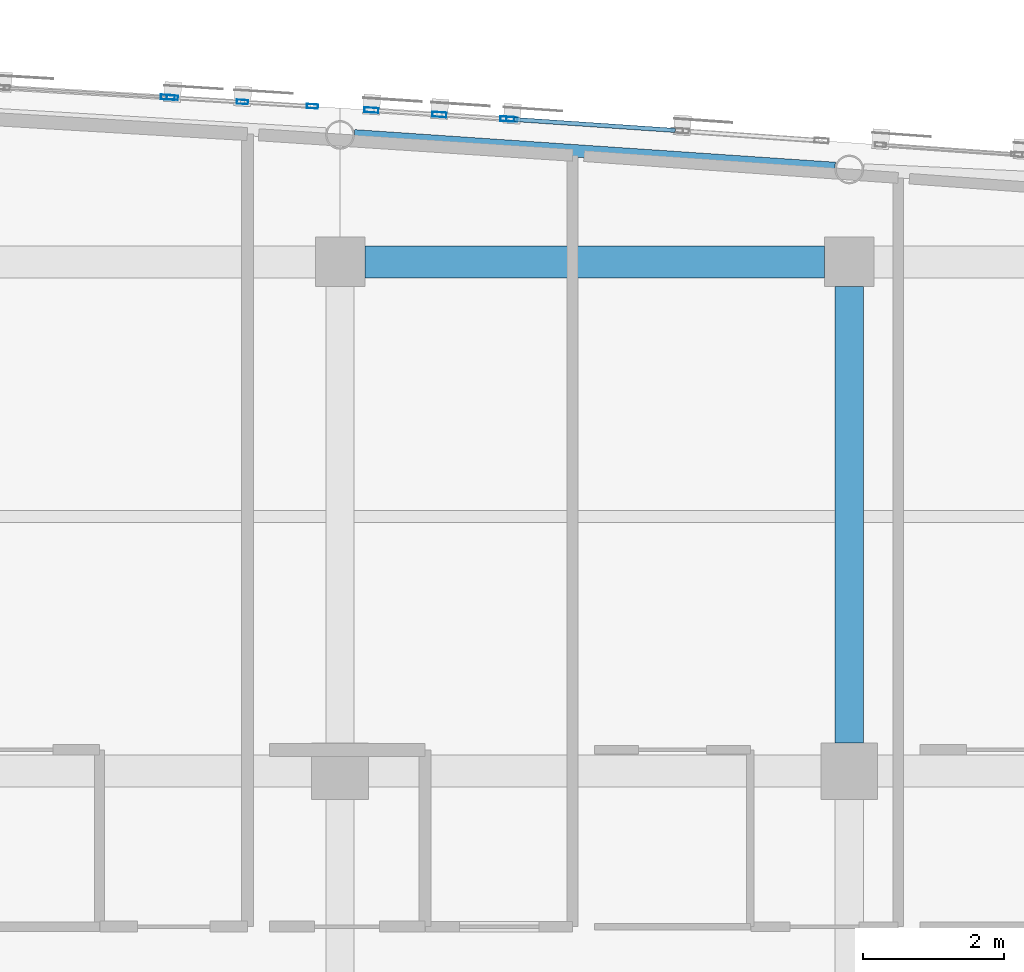
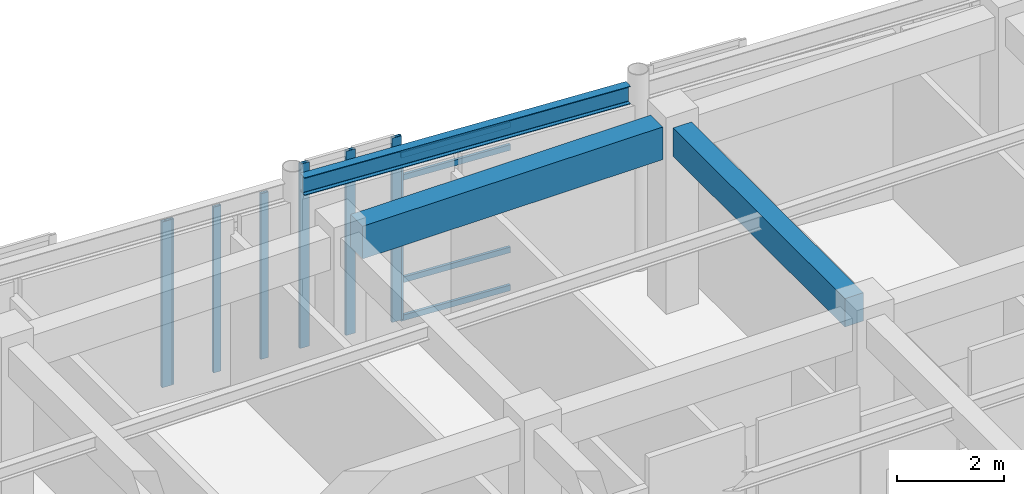
# One storey, part 45 of 106: 12 members, 3 beams, 4 elements without a shape of their own.
"""IFC4 building model written with IfcOpenShell, lengths in metres."""

from ifc_helpers import new_model, si_unit, direction, frame, origin, origin_2d, place, context, subcontext, project, spatial, rectangle, hollow_rectangle, i_section, extrude, material, layer, layer_set, material_profile, profile_set, type_object, element, aggregate, save


model = new_model("IFC4")

# Units and contexts
model_context = context("Model", 3, precision=1e-05, world=origin(), true_north=direction((0.0, 1.0)))
body_context = subcontext(model_context, "Body", "Model", "MODEL_VIEW")
ifc_project = project(units=[si_unit("LENGTHUNIT", "METRE"), si_unit("AREAUNIT", "SQUARE_METRE"), si_unit("VOLUMEUNIT", "CUBIC_METRE"), si_unit("PLANEANGLEUNIT", "RADIAN"), si_unit("MASSUNIT", "GRAM", prefix="KILO")], contexts=[model_context])

# Site, building, storey
site_placement = place(None, origin())
site = spatial("IfcSite", under=ifc_project, at=site_placement, CompositionType="ELEMENT")
building_placement = place(site_placement, origin())
building = spatial("IfcBuilding", under=site, at=building_placement, Name="Carrowvane Square Congress Hotel", CompositionType="ELEMENT")
storey_placement = place(building_placement, frame((0.0, 0.0, 10.5)))
storey = spatial("IfcBuildingStorey", under=building, at=storey_placement, Name="L02", CompositionType="ELEMENT", Elevation=10.5)

# Beams
ifc_material_1 = material(Name="Concrete C35/45", Category="concrete")
ifc_material_profile_1 = material_profile(ifc_material_1, rectangle(XDim=0.39990234375, YDim=0.64990234375, at=origin_2d()), Name="RC 400x650")
ifc_profile_set_1 = profile_set([ifc_material_profile_1], Name="Concrete C35/45")
beam_type_1 = type_object("IfcBeamType", Name="BM-RC-400x650", PredefinedType="BEAM", material=ifc_profile_set_1)
beam_1_placement = place(storey_placement, frame((134.0, 106.60009765625, 3.89501953125), z_axis=(0.0, 1.0, 0.0), x_axis=(-1.0, 0.0, 0.0)))
element("IfcBeam", 1, at=beam_1_placement, inside=storey, type_object=beam_type_1, Name="L03 girder 18/Q-R", PredefinedType="BEAM", context=body_context, shape_type="SweptSolid", body=[
    extrude(rectangle(XDim=0.39990234375, YDim=0.64990234375, at=origin_2d()), origin(), (0.0, 0.0, 1.0), 6.449951171875),
])
ifc_material_2 = material(Name="Concrete C35/45", Category="concrete")
ifc_material_profile_2 = material_profile(ifc_material_2, rectangle(XDim=0.449951171875, YDim=0.75, at=origin_2d()), Name="RC 450x750")
ifc_profile_set_2 = profile_set([ifc_material_profile_2], Name="Concrete C35/45")
beam_type_2 = type_object("IfcBeamType", Name="BM-RC-450x750", PredefinedType="USERDEFINED", material=ifc_profile_set_2)
beam_2_placement = place(storey_placement, frame((127.14990234375, 113.39990234375, 3.844970703125), z_axis=(1.0, 0.0, 0.0), x_axis=(0.0, 1.0, 0.0)))
element("IfcBeam", 2, at=beam_2_placement, inside=storey, type_object=beam_type_2, Name="L03 girder R/17-18", ObjectType="GIRDER", PredefinedType="USERDEFINED", context=body_context, shape_type="SweptSolid", body=[
    extrude(rectangle(XDim=0.449951171875, YDim=0.75, at=origin_2d()), origin(), (0.0, 0.0, 1.0), 6.5),
])
ifc_material_3 = material(Name="Steel S355", Category="steel")
ifc_material_profile_3 = material_profile(ifc_material_3, i_section(OverallWidth=0.1787109375, OverallDepth=0.409423828125, WebThickness=0.0087890625, FlangeThickness=0.014404296875, FilletRadius=0.01025390625, at=origin_2d()), Name="UKB 406x178x67")
ifc_profile_set_3 = profile_set([ifc_material_profile_3], Name="Steel S355")
beam_type_3 = type_object("IfcBeamType", Name="BM-ST-UKB406", PredefinedType="BEAM", material=ifc_profile_set_3)
beam_3_placement = place(storey_placement, frame((127.002685546875, 115.1806640625, 4.015380859375), z_axis=(0.997706912919, -0.067682463857, 0.0), x_axis=(0.067682463857, 0.997706912919, 0.0)))
element("IfcBeam", 3, at=beam_3_placement, inside=storey, type_object=beam_type_3, Name="L03 curved north spandrel", PredefinedType="BEAM", context=body_context, shape_type="SweptSolid", body=[
    extrude(i_section(OverallWidth=0.1787109375, OverallDepth=0.409423828125, WebThickness=0.0087890625, FlangeThickness=0.014404296875, FilletRadius=0.01025390625, at=origin_2d()), origin(), (0.0, 0.0, 1.0), 6.810302734375),
])

# Curtain wall, members
ifc_material_4 = material(Name="Anodised aluminium", Category="aluminium")
ifc_layer_1 = layer(ifc_material_4, 0.23388671875)
ifc_layer_set_1 = layer_set([ifc_layer_1], Name="Anodised aluminium")
curtain_wall_type_1 = type_object("IfcCurtainWallType", Name="CW-SYS-7", PredefinedType="NOTDEFINED", material=ifc_layer_set_1)
curtain_wall_1_placement = place(storey_placement, origin())
curtain_wall_1 = element("IfcCurtainWall", 4, at=curtain_wall_1_placement, inside=storey, type_object=curtain_wall_type_1, Name="L02 unitised curtain wall 166", PredefinedType="NOTDEFINED")
ifc_material_5 = material(Name="Anodised aluminium", Category="aluminium")
ifc_material_profile_4 = material_profile(ifc_material_5, hollow_rectangle(XDim=0.06005859375, YDim=0.159912109375, WallThickness=0.00390625, at=origin_2d()), Name="CW-ML 60x160x4")
ifc_profile_set_4 = profile_set([ifc_material_profile_4], Name="Anodised aluminium")
member_type_1 = type_object("IfcMemberType", Name="CW-MUL-1", PredefinedType="MULLION", material=ifc_profile_set_4)
member_1_placement = place(storey_placement, frame((124.429931640625, 115.722412109375, 0.0), z_axis=(0.0, 0.0, 1.0), x_axis=(0.062397170272, 0.998051398046, 0.0)))
member_1 = element("IfcMember", 5, at=member_1_placement, type_object=member_type_1, Name="CW-7 mullion 1", PredefinedType="MULLION", context=body_context, shape_type="SweptSolid", body=[
    extrude(hollow_rectangle(XDim=0.06005859375, YDim=0.159912109375, WallThickness=0.00390625, at=origin_2d()), origin(), (0.0, 0.0, 1.0), 3.795654296875),
])
member_2_placement = place(storey_placement, frame((125.419921875, 115.66064453125, 0.0), z_axis=(0.0, 0.0, 1.0), x_axis=(0.062397170272, 0.998051398046, 0.0)))
member_2 = element("IfcMember", 6, at=member_2_placement, type_object=member_type_1, Name="CW-7 mullion 2", PredefinedType="MULLION", context=body_context, shape_type="SweptSolid", body=[
    extrude(hollow_rectangle(XDim=0.06005859375, YDim=0.159912109375, WallThickness=0.00390625, at=origin_2d()), origin(), (0.0, 0.0, 1.0), 3.795654296875),
])
member_3_placement = place(storey_placement, frame((126.41015625, 115.5986328125, 0.0), z_axis=(0.0, 0.0, 1.0), x_axis=(0.062397170272, 0.998051398046, 0.0)))
member_3 = element("IfcMember", 7, at=member_3_placement, type_object=member_type_1, Name="CW-7 mullion 3", PredefinedType="MULLION", context=body_context, shape_type="SweptSolid", body=[
    extrude(hollow_rectangle(XDim=0.06005859375, YDim=0.159912109375, WallThickness=0.00390625, at=origin_2d()), origin(), (0.0, 0.0, 1.0), 3.795654296875),
])
aggregate(curtain_wall_1, [member_1, member_2, member_3])

# Curtain wall, member
ifc_material_6 = material(Name="Anodised aluminium", Category="aluminium")
ifc_layer_2 = layer(ifc_material_6, 0.162109375)
ifc_layer_set_2 = layer_set([ifc_layer_2], Name="Anodised aluminium")
curtain_wall_type_2 = type_object("IfcCurtainWallType", Name="CW-SYS-1", PredefinedType="NOTDEFINED", material=ifc_layer_set_2)
curtain_wall_2_placement = place(storey_placement, origin())
curtain_wall_2 = element("IfcCurtainWall", 8, at=curtain_wall_2_placement, inside=storey, type_object=curtain_wall_type_2, Name="L02 unitised curtain wall 168", PredefinedType="NOTDEFINED")
member_4_placement = place(storey_placement, frame((129.22998046875, 115.4150390625, 0.0), z_axis=(0.0, 0.0, 1.0), x_axis=(0.067869562107, 0.99769420292, 0.0)))
member_4 = element("IfcMember", 9, at=member_4_placement, type_object=member_type_1, Name="CW-1 mullion 1", PredefinedType="MULLION", context=body_context, shape_type="SweptSolid", body=[
    extrude(hollow_rectangle(XDim=0.06005859375, YDim=0.159912109375, WallThickness=0.00390625, at=origin_2d()), origin(), (0.0, 0.0, 1.0), 3.795654296875),
])

ifc_material_7 = material(Name="Anodised aluminium", Category="aluminium")
ifc_layer_3 = layer(ifc_material_7, 0.221923828125)
ifc_layer_set_3 = layer_set([ifc_layer_3], Name="Anodised aluminium")
curtain_wall_type_3 = type_object("IfcCurtainWallType", Name="CW-SYS-6", PredefinedType="NOTDEFINED", material=ifc_layer_set_3)
curtain_wall_3_placement = place(storey_placement, origin())
curtain_wall_3 = element("IfcCurtainWall", 10, at=curtain_wall_3_placement, inside=storey, type_object=curtain_wall_type_3, Name="L02 unitised curtain wall 165", PredefinedType="NOTDEFINED")
ifc_material_8 = material(Name="Anodised aluminium", Category="aluminium")
ifc_material_profile_5 = material_profile(ifc_material_8, hollow_rectangle(XDim=0.070068359375, YDim=0.199951171875, WallThickness=0.0048828125, at=origin_2d()), Name="CW-ML 70x200x5")
ifc_profile_set_5 = profile_set([ifc_material_profile_5], Name="Anodised aluminium")
member_type_2 = type_object("IfcMemberType", Name="CW-MUL-2", PredefinedType="MULLION", material=ifc_profile_set_5)
member_5_placement = place(storey_placement, frame((124.364990234375, 115.726318359375, 0.0), z_axis=(0.0, 0.0, 1.0), x_axis=(0.058851249486, 0.998266763162, 0.0)))
member_5 = element("IfcMember", 11, at=member_5_placement, type_object=member_type_2, Name="CW-6 mullion 2", PredefinedType="MULLION", context=body_context, shape_type="SweptSolid", body=[
    extrude(hollow_rectangle(XDim=0.070068359375, YDim=0.199951171875, WallThickness=0.0048828125, at=origin_2d()), origin(), (0.0, 0.0, 1.0), 3.795654296875),
])
aggregate(curtain_wall_3, [member_5])

# Curtain wall, members
ifc_material_9 = material(Name="Anodised aluminium", Category="aluminium")
ifc_layer_4 = layer(ifc_material_9, 0.24609375)
ifc_layer_set_4 = layer_set([ifc_layer_4], Name="Anodised aluminium")
curtain_wall_type_4 = type_object("IfcCurtainWallType", Name="CW-SYS-8", PredefinedType="NOTDEFINED", material=ifc_layer_set_4)
curtain_wall_4_placement = place(storey_placement, origin())
curtain_wall_4 = element("IfcCurtainWall", 12, at=curtain_wall_4_placement, inside=storey, type_object=curtain_wall_type_4, Name="L02 unitised curtain wall 167", PredefinedType="NOTDEFINED")
member_6_placement = place(storey_placement, frame((127.243408203125, 115.545166015625, 0.0), z_axis=(0.0, 0.0, 1.0), x_axis=(0.065413941589, 0.9978582145, 0.0)))
member_6 = element("IfcMember", 13, at=member_6_placement, type_object=member_type_2, Name="CW-8 mullion 1", PredefinedType="MULLION", context=body_context, shape_type="SweptSolid", body=[
    extrude(hollow_rectangle(XDim=0.070068359375, YDim=0.199951171875, WallThickness=0.0048828125, at=origin_2d()), origin(), (0.0, 0.0, 1.0), 4.219970703125),
])
member_7_placement = place(storey_placement, frame((128.204345703125, 115.482177734375, 0.0), z_axis=(0.0, 0.0, 1.0), x_axis=(0.065413941589, 0.9978582145, 0.0)))
member_7 = element("IfcMember", 14, at=member_7_placement, type_object=member_type_2, Name="CW-8 mullion 2", PredefinedType="MULLION", context=body_context, shape_type="SweptSolid", body=[
    extrude(hollow_rectangle(XDim=0.070068359375, YDim=0.199951171875, WallThickness=0.0048828125, at=origin_2d()), origin(), (0.0, 0.0, 1.0), 4.219970703125),
])
member_8_placement = place(storey_placement, frame((129.1650390625, 115.419189453125, 0.0), z_axis=(0.0, 0.0, 1.0), x_axis=(0.065413941589, 0.9978582145, 0.0)))
member_8 = element("IfcMember", 15, at=member_8_placement, type_object=member_type_2, Name="CW-8 mullion 3", PredefinedType="MULLION", context=body_context, shape_type="SweptSolid", body=[
    extrude(hollow_rectangle(XDim=0.070068359375, YDim=0.199951171875, WallThickness=0.0048828125, at=origin_2d()), origin(), (0.0, 0.0, 1.0), 4.219970703125),
])
aggregate(curtain_wall_4, [member_6, member_7, member_8])

# Member
ifc_material_10 = material(Name="Anodised aluminium", Category="aluminium")
ifc_material_profile_6 = material_profile(ifc_material_10, hollow_rectangle(XDim=0.06005859375, YDim=0.1298828125, WallThickness=0.00390625, at=origin_2d()), Name="CW-TR 60x130x4")
ifc_profile_set_6 = profile_set([ifc_material_profile_6], Name="Anodised aluminium")
member_type_3 = type_object("IfcMemberType", Name="CW-TRN-1", PredefinedType="USERDEFINED", material=ifc_profile_set_6)
member_9_placement = place(storey_placement, frame((129.259765625, 115.412841796875, 0.030029296875), z_axis=(0.9976968548, -0.067830567751, 0.0), x_axis=(0.067830567751, 0.9976968548, 0.0)))
member_9 = element("IfcMember", 16, at=member_9_placement, type_object=member_type_3, Name="CW-1 transom 1.1", ObjectType="TRANSOM", PredefinedType="USERDEFINED", context=body_context, shape_type="SweptSolid", body=[
    extrude(hollow_rectangle(XDim=0.06005859375, YDim=0.1298828125, WallThickness=0.00390625, at=origin_2d()), origin(), (0.0, 0.0, 1.0), 2.28564453125),
])

member_10_placement = place(storey_placement, frame((129.259765625, 115.412841796875, 0.89990234375), z_axis=(0.9976968548, -0.067830567751, 0.0), x_axis=(0.067830567751, 0.9976968548, 0.0)))
member_10 = element("IfcMember", 17, at=member_10_placement, type_object=member_type_3, Name="CW-1 transom 1.2", ObjectType="TRANSOM", PredefinedType="USERDEFINED", context=body_context, shape_type="SweptSolid", body=[
    extrude(hollow_rectangle(XDim=0.06005859375, YDim=0.1298828125, WallThickness=0.00390625, at=origin_2d()), origin(), (0.0, 0.0, 1.0), 2.28564453125),
])

member_11_placement = place(storey_placement, frame((129.259765625, 115.412841796875, 3.24560546875), z_axis=(0.9976968548, -0.067830567751, 0.0), x_axis=(0.067830567751, 0.9976968548, 0.0)))
member_11 = element("IfcMember", 18, at=member_11_placement, type_object=member_type_3, Name="CW-1 transom 1.3", ObjectType="TRANSOM", PredefinedType="USERDEFINED", context=body_context, shape_type="SweptSolid", body=[
    extrude(hollow_rectangle(XDim=0.06005859375, YDim=0.1298828125, WallThickness=0.00390625, at=origin_2d()), origin(), (0.0, 0.0, 1.0), 2.28564453125),
])

member_12_placement = place(storey_placement, frame((129.259765625, 115.412841796875, 3.765625), z_axis=(0.9976968548, -0.067830567751, 0.0), x_axis=(0.067830567751, 0.9976968548, 0.0)))
member_12 = element("IfcMember", 19, at=member_12_placement, type_object=member_type_3, Name="CW-1 transom 1.4", ObjectType="TRANSOM", PredefinedType="USERDEFINED", context=body_context, shape_type="SweptSolid", body=[
    extrude(hollow_rectangle(XDim=0.06005859375, YDim=0.1298828125, WallThickness=0.00390625, at=origin_2d()), origin(), (0.0, 0.0, 1.0), 2.28564453125),
])

aggregate(curtain_wall_2, [member_4, member_9, member_10, member_11, member_12])

save(model, "model.ifc")
